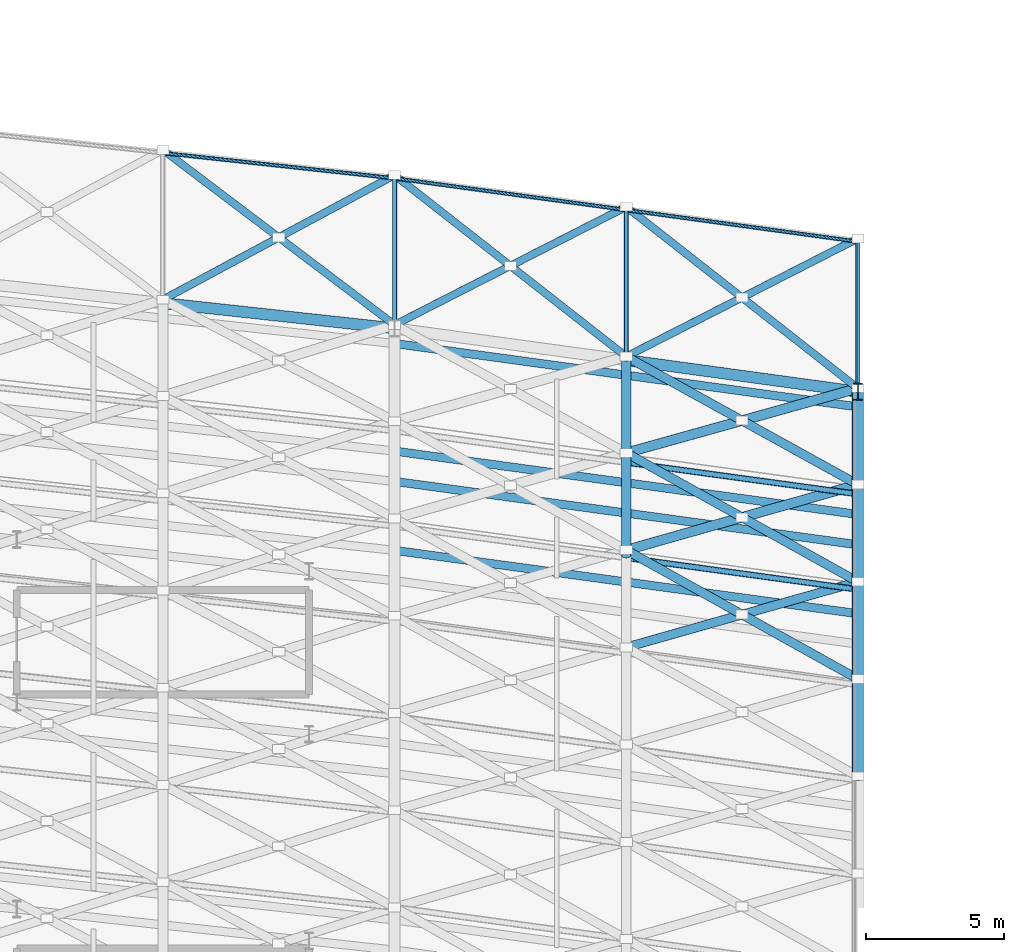
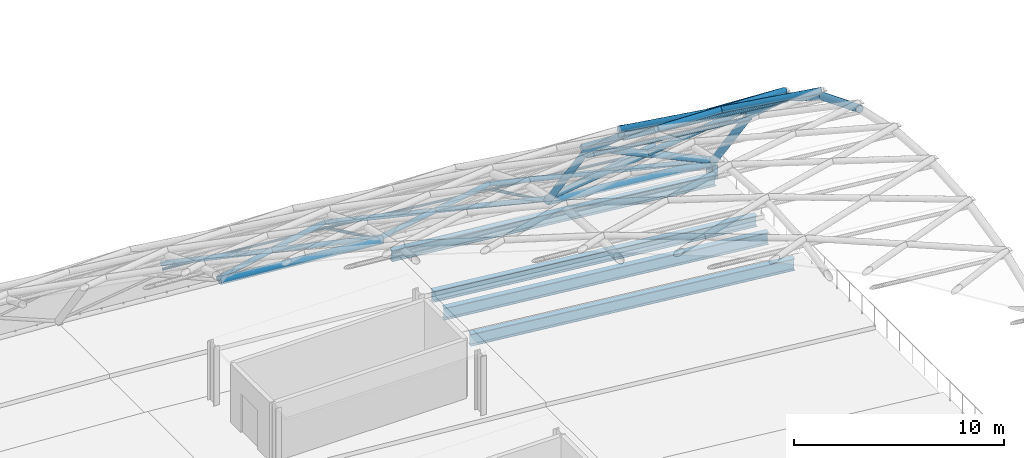
# One storey, part 61 of 100: 35 members, 4 beams.
"""IFC4 building model written with IfcOpenShell, lengths in metres."""

import ifcopenshell
import ifcopenshell.guid

model = None  # the IFC model being written
_history = None  # IfcOwnerHistory: only IFC2X3 demands one
_inside = {}  # id of a spatial element -> (the spatial element, [elements in it])
_under = {}  # id of a project, library or spatial element -> (it, [spatial elements below it])
_declared = {}  # id of a project -> (the project, [libraries it declares])
_typed = {}  # id of a type object -> (the type object, [elements of that type])
_made_of = {}  # id of a material, layer set ... -> (it, [elements and type objects made of it])


def new_model(schema):
    """Start an empty IFC model of exactly this schema.

    Asked for "IFC4X3", IfcOpenShell would pick the latest addendum, in which some entities
    have other attributes; the version numbers below select the first issue.
    IFC2X3 requires an IfcOwnerHistory on every rooted entity: one is made here for all.
    """
    global model, _history
    if schema == "IFC4X3":
        model = ifcopenshell.file(schema_version=(4, 3, 0, 0))
    else:
        model = ifcopenshell.file(schema=schema)
    _inside.clear()
    _under.clear()
    _declared.clear()
    _typed.clear()
    _made_of.clear()
    _history = None
    if model.schema == "IFC2X3":
        org = make("IfcOrganization", Name="unknown")
        user = make(
            "IfcPersonAndOrganization",
            ThePerson=make("IfcPerson", FamilyName="unknown"),
            TheOrganization=org,
        )
        app = make(
            "IfcApplication",
            ApplicationDeveloper=org,
            Version="unknown",
            ApplicationFullName="unknown",
            ApplicationIdentifier="unknown",
        )
        _history = make(
            "IfcOwnerHistory",
            OwningUser=user,
            OwningApplication=app,
            ChangeAction="ADDED",
            CreationDate=0,
        )
    return model


def make(cls, **values):
    """One entity of the class cls with the attributes given. An attribute that is None is left unset."""
    return model.create_entity(
        cls, **{name: value for name, value in values.items() if value is not None}
    )


def rooted(cls, **values):
    """An entity with a GlobalId (a new one), such as an element, a storey or a relation."""
    return make(cls, GlobalId=ifcopenshell.guid.new(), OwnerHistory=_history, **values)


def si_unit(unit_type, name, prefix=None):
    """IfcSIUnit, for example si_unit("LENGTHUNIT", "METRE", prefix="MILLI")."""
    return make("IfcSIUnit", UnitType=unit_type, Prefix=prefix, Name=name)


def assignment(units):
    """IfcUnitAssignment: the units of a project."""
    return None if units is None else make("IfcUnitAssignment", Units=units)


def point(xyz):
    """IfcCartesianPoint."""
    return None if xyz is None else make("IfcCartesianPoint", Coordinates=xyz)


def direction(xyz):
    """IfcDirection."""
    return None if xyz is None else make("IfcDirection", DirectionRatios=xyz)


def frame(location, z_axis=None, x_axis=None):
    """IfcAxis2Placement3D, a coordinate frame: its origin and axes. An axis left out is left unset."""
    return make(
        "IfcAxis2Placement3D",
        Location=point(location),
        Axis=direction(z_axis),
        RefDirection=direction(x_axis),
    )


def frame_2d(location, x_axis=None):
    """IfcAxis2Placement2D, a coordinate frame in the plane: its origin and x axis."""
    return make(
        "IfcAxis2Placement2D", Location=point(location), RefDirection=direction(x_axis)
    )


def origin():
    """The frame at (0, 0, 0) with its axes left unset."""
    return frame((0.0, 0.0, 0.0))


def origin_2d():
    """The frame at (0, 0) in the plane with its x axis left unset."""
    return frame_2d((0.0, 0.0))


def place(relative_to, where):
    """IfcLocalPlacement: puts the frame where relative to a parent placement (None: the world)."""
    return make(
        "IfcLocalPlacement", PlacementRelTo=relative_to, RelativePlacement=where
    )


def context(
    kind, dimensions, precision=None, world=None, true_north=None, identifier=None
):
    """IfcGeometricRepresentationContext, for example the 3D "Model" context."""
    return make(
        "IfcGeometricRepresentationContext",
        ContextIdentifier=identifier,
        ContextType=kind,
        CoordinateSpaceDimension=dimensions,
        Precision=precision,
        WorldCoordinateSystem=world,
        TrueNorth=true_north,
    )


def subcontext(parent, identifier, kind, view, scale=None):
    """IfcGeometricRepresentationSubContext, for example "Body" below "Model"."""
    return make(
        "IfcGeometricRepresentationSubContext",
        ContextIdentifier=identifier,
        ContextType=kind,
        ParentContext=parent,
        TargetScale=scale,
        TargetView=view,
    )


def project(units=None, contexts=None):
    """IfcProject with its units and contexts."""
    return rooted(
        "IfcProject",
        Name="project",
        RepresentationContexts=contexts,
        UnitsInContext=assignment(units),
    )


def spatial(cls, under=None, at=None, **own):
    """A site, building, storey or space (cls), placed at a placement, below another one or the project."""
    s = rooted(cls, ObjectPlacement=at, **own)
    if under is not None:
        _under.setdefault(under.id(), (under, []))[1].append(s)
    return s


def profile(cls, at=None, kind="AREA", **sizes):
    """A parametric profile (cls). Its sizes go by their IFC names, for example OverallWidth=200.0."""
    return make(cls, ProfileType=kind, Position=at, **sizes)


def hollow_circle(**sizes):
    """IfcCircleHollowProfileDef."""
    return profile("IfcCircleHollowProfileDef", **sizes)


def i_section(**sizes):
    """IfcIShapeProfileDef."""
    return profile("IfcIShapeProfileDef", **sizes)


def extrude(swept, where, along, depth):
    """IfcExtrudedAreaSolid: the profile swept, set in the frame where, extruded along a direction by depth."""
    return make(
        "IfcExtrudedAreaSolid",
        SweptArea=swept,
        Position=where,
        ExtrudedDirection=direction(along),
        Depth=depth,
    )


def shape(context_of_items, identifier, shape_type, items):
    """IfcShapeRepresentation: the items that make up one representation, for example the "Body"."""
    return make(
        "IfcShapeRepresentation",
        ContextOfItems=context_of_items,
        RepresentationIdentifier=identifier,
        RepresentationType=shape_type,
        Items=items,
    )


def material(Name=None, Category=None):
    """IfcMaterial."""
    return make("IfcMaterial", Name=Name, Category=Category)


def material_profile(
    of_material, cross_section, Name=None, Category=None, Priority=None
):
    """IfcMaterialProfile: a cross section and its material."""
    return make(
        "IfcMaterialProfile",
        Name=Name,
        Material=of_material,
        Profile=cross_section,
        Priority=Priority,
        Category=Category,
    )


def profile_set(profiles, Name=None, composite=None):
    """IfcMaterialProfileSet."""
    return make(
        "IfcMaterialProfileSet",
        Name=Name,
        MaterialProfiles=profiles,
        CompositeProfile=composite,
    )


def made_of(thing, what):
    """Note that an element or type object is made of a material, layer set ...; save() writes the relation."""
    if what is not None:
        _made_of.setdefault(what.id(), (what, []))[1].append(thing)
    return thing


def type_object(cls, material=None, **own):
    """A type object (cls), such as IfcWallType, which elements share."""
    return made_of(rooted(cls, **own), material)


def element(
    cls,
    number,
    at=None,
    inside=None,
    cuts=None,
    type_object=None,
    material=None,
    context=None,
    identifier="Body",
    shape_type=None,
    held_by="IfcProductDefinitionShape",
    body=None,
    shapes=None,
    **own,
):
    """One element of the class cls, such as IfcWall. Its Tag is "e" and its number.

    at: its placement. inside: the storey or other place that contains it. cuts: it is an
    opening in that element (IfcRelVoidsElement). A single representation is given by context,
    identifier, shape_type and body (its items); several are given by shapes. held_by: the class
    of the entity that holds the representations. save() writes the other relations.
    """
    e = rooted(cls, Tag="e%d" % number, ObjectPlacement=at, **own)
    if body is not None:
        shapes = [shape(context, identifier, shape_type, body)]
    if shapes is not None:
        e.Representation = make(held_by, Representations=shapes)
    if inside is not None:
        _inside.setdefault(inside.id(), (inside, []))[1].append(e)
    if cuts is not None:
        rooted(
            "IfcRelVoidsElement", RelatingBuildingElement=cuts, RelatedOpeningElement=e
        )
    if type_object is not None:
        _typed.setdefault(type_object.id(), (type_object, []))[1].append(e)
    return made_of(e, material)


def aggregate(whole, parts):
    """IfcRelAggregates: a whole, such as a stair, and the parts it consists of."""
    return rooted("IfcRelAggregates", RelatingObject=whole, RelatedObjects=parts)


def save(model, path):
    """Write the relations noted so far, then the file.

    IfcRelAggregates (storeys below a building ...), IfcRelContainedInSpatialStructure (elements
    in a storey), IfcRelDefinesByType, IfcRelAssociatesMaterial and IfcRelDeclares: one each for
    every whole, place, type object, material and project.
    """
    for whole, parts in _under.values():
        aggregate(whole, parts)
    for where, things in _inside.values():
        rooted(
            "IfcRelContainedInSpatialStructure",
            RelatedElements=things,
            RelatingStructure=where,
        )
    for kind, things in _typed.values():
        rooted("IfcRelDefinesByType", RelatedObjects=things, RelatingType=kind)
    for what, things in _made_of.values():
        rooted("IfcRelAssociatesMaterial", RelatedObjects=things, RelatingMaterial=what)
    for by, libraries in _declared.values():
        rooted("IfcRelDeclares", RelatingContext=by, RelatedDefinitions=libraries)
    model.write(path)


model = new_model("IFC4")

# Units and contexts
model_context = context("Model", 3, precision=1e-05, world=origin(), true_north=direction((0.0, 1.0)))
body_context = subcontext(model_context, "Body", "Model", "MODEL_VIEW")
ifc_project = project(units=[si_unit("LENGTHUNIT", "METRE"), si_unit("AREAUNIT", "SQUARE_METRE"), si_unit("VOLUMEUNIT", "CUBIC_METRE"), si_unit("PLANEANGLEUNIT", "RADIAN"), si_unit("MASSUNIT", "GRAM", prefix="KILO")], contexts=[model_context])

# Site, building, storey
site_placement = place(None, origin())
site = spatial("IfcSite", under=ifc_project, at=site_placement, CompositionType="ELEMENT")
building_placement = place(site_placement, origin())
building = spatial("IfcBuilding", under=site, at=building_placement, Name="Kimbaza Rail Terminus", CompositionType="ELEMENT")
storey_placement = place(building_placement, frame((0.0, 0.0, 10.800048828125)))
storey = spatial("IfcBuildingStorey", under=building, at=storey_placement, Name="L02", CompositionType="ELEMENT", Elevation=10.800048828125)

# Beams
ifc_material_1 = material(Name="Steel S355", Category="steel")
ifc_material_profile_1 = material_profile(ifc_material_1, i_section(OverallWidth=0.300048828125, OverallDepth=0.64990234375, WebThickness=0.01611328125, FlangeThickness=0.031005859375, FilletRadius=0.027099609375, at=origin_2d()), Name="HEB 650")
ifc_profile_set_1 = profile_set([ifc_material_profile_1], Name="Steel S355")
beam_type_1 = type_object("IfcBeamType", Name="STR-BM-HEB650", PredefinedType="USERDEFINED", material=ifc_profile_set_1)
for number, where, z_axis, x_axis, name in (
    (1, (189.74365234375, 87.703857421875, -0.5849609375), (0.990777321611, -0.135500180745, 0.0), (0.135500180745, 0.990777321611, 0.0), "Viaduct Chorded Girder P4 Bay 11"),
    (2, (189.74365234375, 91.60400390625, -0.5849609375), (0.990777321611, -0.135500180745, 0.0), (0.135500180745, 0.990777321611, 0.0), "Viaduct Chorded Girder P4 Bay 11"),
):
    element("IfcBeam", number, at=place(storey_placement, frame(where, z_axis=z_axis, x_axis=x_axis)), inside=storey, type_object=beam_type_1, Name=name, ObjectType="GIRDER", PredefinedType="USERDEFINED", context=body_context, shape_type="SweptSolid", body=[
        extrude(i_section(OverallWidth=0.300048828125, OverallDepth=0.64990234375, WebThickness=0.01611328125, FlangeThickness=0.031005859375, FilletRadius=0.027099609375, at=origin_2d()), origin(), (0.0, 0.0, 1.0), 16.66650390625),
    ])
ifc_material_2 = material(Name="Steel S355", Category="steel")
ifc_material_profile_2 = material_profile(ifc_material_2, i_section(OverallWidth=0.300048828125, OverallDepth=0.699951171875, WebThickness=0.01708984375, FlangeThickness=0.031982421875, FilletRadius=0.027099609375, at=origin_2d()), Name="HEB 700")
ifc_profile_set_2 = profile_set([ifc_material_profile_2], Name="Steel S355")
beam_type_2 = type_object("IfcBeamType", Name="STR-BM-HEB700", PredefinedType="USERDEFINED", material=ifc_profile_set_2)
for number, where, z_axis, x_axis, name in (
    (3, (189.74365234375, 84.10400390625, -0.920166015625), (0.990777321611, -0.135500180745, 0.0), (0.135500180745, 0.990777321611, 0.0), "Viaduct Chorded Girder TR56 Bay 11"),
    (4, (189.74365234375, 86.60400390625, -0.920166015625), (0.990777321611, -0.135500180745, 0.0), (0.135500180745, 0.990777321611, 0.0), "Viaduct Chorded Girder TR56 Bay 11"),
):
    element("IfcBeam", number, at=place(storey_placement, frame(where, z_axis=z_axis, x_axis=x_axis)), inside=storey, type_object=beam_type_2, Name=name, ObjectType="GIRDER", PredefinedType="USERDEFINED", context=body_context, shape_type="SweptSolid", body=[
        extrude(i_section(OverallWidth=0.300048828125, OverallDepth=0.699951171875, WebThickness=0.01708984375, FlangeThickness=0.031982421875, FilletRadius=0.027099609375, at=origin_2d()), origin(), (0.0, 0.0, 1.0), 16.66650390625),
    ])

# Members
ifc_material_3 = material(Name="White painted steel S355", Category="steel")
ifc_material_profile_3 = material_profile(ifc_material_3, hollow_circle(Radius=0.06982421875, WallThickness=0.00634765625, at=origin_2d()), Name="CHS 139.7x6.3")
ifc_profile_set_3 = profile_set([ifc_material_profile_3], Name="White painted steel S355")
member_type_1 = type_object("IfcMemberType", Name="STR-MB-CHS139", PredefinedType="COLLAR", material=ifc_profile_set_3)
member_1_placement = place(storey_placement, frame((181.199951171875, 98.53173828125, -2.62744140625), z_axis=(0.994106819652, -0.108404940487, 0.0), x_axis=(0.108404940487, 0.994106819652, 0.0)))
element("IfcMember", 5, at=member_1_placement, inside=storey, type_object=member_type_1, Name="Vault lattice longitudinal purlin VR-19-VA14", PredefinedType="COLLAR", context=body_context, shape_type="SweptSolid", body=[
    extrude(hollow_circle(Radius=0.06982421875, WallThickness=0.00634765625, at=origin_2d()), origin(), (0.0, 0.0, 1.0), 8.449951171875),
])
for number, where, z_axis, x_axis, name in (
    (6, (189.60009765625, 97.61572265625, -2.62744140625), (0.990778928837, -0.135488428186, 0.0), (0.135488428186, 0.990778928837, 0.0), "Vault lattice longitudinal purlin VR-20-VA14"),
    (7, (198.0, 96.467041015625, -2.62744140625), (0.990775062808, -0.135516696087, 0.0), (0.135516696087, 0.990775062808, 0.0), "Vault lattice longitudinal purlin VR-21-VA14"),
):
    element("IfcMember", number, at=place(storey_placement, frame(where, z_axis=z_axis, x_axis=x_axis)), inside=storey, type_object=member_type_1, Name=name, PredefinedType="COLLAR", context=body_context, shape_type="SweptSolid", body=[
        extrude(hollow_circle(Radius=0.06982421875, WallThickness=0.00634765625, at=origin_2d()), origin(), (0.0, 0.0, 1.0), 8.47802734375),
    ])
ifc_material_4 = material(Name="White painted steel S355", Category="steel")
ifc_material_profile_4 = material_profile(ifc_material_4, hollow_circle(Radius=0.084228515625, WallThickness=0.00634765625, at=origin_2d()), Name="CHS 168.3x6.3")
ifc_profile_set_4 = profile_set([ifc_material_profile_4], Name="White painted steel S355")
member_type_2 = type_object("IfcMemberType", Name="STR-MB-CHS168", PredefinedType="RAFTER", material=ifc_profile_set_4)
for number, where, z_axis, x_axis, name in (
    (8, (189.60009765625, 92.173583984375, 0.0), (0.0, 0.901963905621, -0.431811432174), (-1.0, 0.0, 0.0), "Vault lattice arch chord VR-20 seg 14"),
    (9, (198.0, 91.02490234375, 0.0), (0.0, 0.901963905621, -0.431811432174), (-1.0, 0.0, 0.0), "Vault lattice arch chord VR-21 seg 14"),
    (10, (206.39990234375, 89.8759765625, 0.0), (0.0, 0.901963905621, -0.431811432174), (-1.0, 0.0, 0.0), "Vault lattice arch chord VR-22 seg 14"),
):
    element("IfcMember", number, at=place(storey_placement, frame(where, z_axis=z_axis, x_axis=x_axis)), inside=storey, type_object=member_type_2, Name=name, PredefinedType="RAFTER", context=body_context, shape_type="SweptSolid", body=[
        extrude(hollow_circle(Radius=0.084228515625, WallThickness=0.00634765625, at=origin_2d()), origin(), (0.0, 0.0, 1.0), 6.04296875),
    ])
ifc_material_5 = material(Name="White painted steel S355", Category="steel")
ifc_material_profile_5 = material_profile(ifc_material_5, hollow_circle(Radius=0.109619140625, WallThickness=0.008056640625, at=origin_2d()), Name="CHS 219.1x8")
ifc_profile_set_5 = profile_set([ifc_material_profile_5], Name="White painted steel S355")
member_type_3 = type_object("IfcMemberType", Name="STR-MB-CHS219", PredefinedType="PURLIN", material=ifc_profile_set_5)
for number, where, z_axis, x_axis, name in (
    (11, (198.0, 83.85302734375, 7.9716796875), (0.990775062808, -0.135516696087, 0.0), (0.135516696087, 0.990775062808, 0.0), "Vault lattice longitudinal purlin VR-21-VA11"),
    (12, (198.0, 87.31005859375, 4.85205078125), (0.990775062808, -0.135516696087, 0.0), (0.135516696087, 0.990775062808, 0.0), "Vault lattice longitudinal purlin VR-21-VA12"),
):
    element("IfcMember", number, at=place(storey_placement, frame(where, z_axis=z_axis, x_axis=x_axis)), inside=storey, type_object=member_type_3, Name=name, PredefinedType="PURLIN", context=body_context, shape_type="SweptSolid", body=[
        extrude(hollow_circle(Radius=0.109619140625, WallThickness=0.008056640625, at=origin_2d()), origin(), (0.0, 0.0, 1.0), 8.47802734375),
    ])
ifc_material_6 = material(Name="White painted steel S355", Category="steel")
ifc_material_profile_6 = material_profile(ifc_material_6, hollow_circle(Radius=0.136474609375, WallThickness=0.010009765625, at=origin_2d()), Name="CHS 273x10")
ifc_profile_set_6 = profile_set([ifc_material_profile_6], Name="White painted steel S355")
member_type_4 = type_object("IfcMemberType", Name="STR-MB-CHS273", PredefinedType="STRUT", material=ifc_profile_set_6)
member_2_placement = place(storey_placement, frame((181.199951171875, 93.2138671875, 0.064208984375), z_axis=(0.853306847525, 0.458906324486, -0.247532642926), x_axis=(-0.473646411943, 0.880715093803, 0.0)))
element("IfcMember", 13, at=member_2_placement, inside=storey, type_object=member_type_4, Name="Vault lattice diagonal A VR-19-VA13", PredefinedType="STRUT", context=body_context, shape_type="SweptSolid", body=[
    extrude(hollow_circle(Radius=0.136474609375, WallThickness=0.010009765625, at=origin_2d()), origin(), (0.0, 0.0, 1.0), 9.84423828125),
])
for number, where, z_axis, x_axis, name in (
    (14, (189.60009765625, 92.298095703125, 0.064208984375), (-0.777224696661, 0.587436220105, -0.225478287668), (-0.602963622879, -0.79776868169, 0.0), "Vault lattice diagonal B1 VR-19-VA13"),
    (15, (185.39990234375, 95.47265625, -1.154296875), (-0.777194097989, 0.587492417035, -0.225437339358), (-0.603015439959, -0.797729515043, 0.0), "Vault lattice diagonal B2 VR-19-VA13"),
):
    element("IfcMember", number, at=place(storey_placement, frame(where, z_axis=z_axis, x_axis=x_axis)), inside=storey, type_object=member_type_4, Name=name, PredefinedType="STRUT", context=body_context, shape_type="SweptSolid", body=[
        extrude(hollow_circle(Radius=0.136474609375, WallThickness=0.010009765625, at=origin_2d()), origin(), (0.0, 0.0, 1.0), 5.404052734375),
    ])
member_3_placement = place(storey_placement, frame((189.60009765625, 92.298095703125, 0.064208984375), z_axis=(0.862481691216, 0.439914293994, -0.250201411382), x_axis=(-0.454365943518, 0.890815126371, 0.0)))
element("IfcMember", 16, at=member_3_placement, inside=storey, type_object=member_type_4, Name="Vault lattice diagonal A VR-20-VA13", PredefinedType="STRUT", context=body_context, shape_type="SweptSolid", body=[
    extrude(hollow_circle(Radius=0.136474609375, WallThickness=0.010009765625, at=origin_2d()), origin(), (0.0, 0.0, 1.0), 9.7392578125),
])
member_4_placement = place(storey_placement, frame((198.0, 91.149169921875, 0.064208984375), z_axis=(-0.767356164719, 0.601332817332, -0.222628298443), x_axis=(-0.616812718972, -0.787109947666, 0.0)))
element("IfcMember", 17, at=member_4_placement, inside=storey, type_object=member_type_4, Name="Vault lattice diagonal B1 VR-20-VA13", PredefinedType="STRUT", context=body_context, shape_type="SweptSolid", body=[
    extrude(hollow_circle(Radius=0.136474609375, WallThickness=0.010009765625, at=origin_2d()), origin(), (0.0, 0.0, 1.0), 5.473388671875),
])
member_5_placement = place(storey_placement, frame((193.800048828125, 94.4404296875, -1.154296875), z_axis=(-0.767384367824, 0.601310310892, -0.222591873245), x_axis=(-0.616784371104, -0.787132161432, 0.0)))
element("IfcMember", 18, at=member_5_placement, inside=storey, type_object=member_type_4, Name="Vault lattice diagonal B2 VR-20-VA13", PredefinedType="STRUT", context=body_context, shape_type="SweptSolid", body=[
    extrude(hollow_circle(Radius=0.136474609375, WallThickness=0.010009765625, at=origin_2d()), origin(), (0.0, 0.0, 1.0), 5.47314453125),
])
member_6_placement = place(storey_placement, frame((198.0, 91.149169921875, 0.064208984375), z_axis=(0.862472179938, 0.439934510199, -0.250198652211), x_axis=(-0.454386489216, 0.890804646608, 0.0)))
element("IfcMember", 19, at=member_6_placement, inside=storey, type_object=member_type_4, Name="Vault lattice diagonal A VR-21-VA13", PredefinedType="STRUT", context=body_context, shape_type="SweptSolid", body=[
    extrude(hollow_circle(Radius=0.136474609375, WallThickness=0.010009765625, at=origin_2d()), origin(), (0.0, 0.0, 1.0), 9.7392578125),
])
for number, where, z_axis, x_axis, name in (
    (20, (206.39990234375, 90.00048828125, 0.064208984375), (-0.767376747594, 0.6013043398, -0.222634270025), (-0.616784371104, -0.787132161432, 0.0), "Vault lattice diagonal B1 VR-21-VA13"),
    (21, (202.199951171875, 93.29150390625, -1.154296875), (-0.767384367824, 0.601310310892, -0.222591873245), (-0.616784371104, -0.787132161432, 0.0), "Vault lattice diagonal B2 VR-21-VA13"),
):
    element("IfcMember", number, at=place(storey_placement, frame(where, z_axis=z_axis, x_axis=x_axis)), inside=storey, type_object=member_type_4, Name=name, PredefinedType="STRUT", context=body_context, shape_type="SweptSolid", body=[
        extrude(hollow_circle(Radius=0.136474609375, WallThickness=0.010009765625, at=origin_2d()), origin(), (0.0, 0.0, 1.0), 5.47314453125),
    ])
ifc_material_7 = material(Name="White painted steel S355", Category="steel")
ifc_material_profile_7 = material_profile(ifc_material_7, hollow_circle(Radius=0.161865234375, WallThickness=0.010009765625, at=origin_2d()), Name="CHS 323.9x10")
ifc_profile_set_7 = profile_set([ifc_material_profile_7], Name="White painted steel S355")
member_type_5 = type_object("IfcMemberType", Name="STR-MB-CHS323", PredefinedType="STRUT", material=ifc_profile_set_7)
member_7_placement = place(storey_placement, frame((198.0, 80.604736328125, 10.499755859375), z_axis=(0.934286738554, 0.264487381082, -0.239070523927), x_axis=(-0.272385973351, 0.962188069725, 0.0)))
element("IfcMember", 22, at=member_7_placement, inside=storey, type_object=member_type_5, Name="Vault lattice diagonal A VR-21-VA10", PredefinedType="STRUT", context=body_context, shape_type="SweptSolid", body=[
    extrude(hollow_circle(Radius=0.161865234375, WallThickness=0.010009765625, at=origin_2d()), origin(), (0.0, 0.0, 1.0), 8.99072265625),
])
member_8_placement = place(storey_placement, frame((206.39990234375, 79.4560546875, 10.499755859375), z_axis=(-0.852719545085, 0.474614290774, -0.218198653576), x_axis=(-0.486332783542, -0.873773668436, 0.0)))
element("IfcMember", 23, at=member_8_placement, inside=storey, type_object=member_type_5, Name="Vault lattice diagonal B1 VR-21-VA10", PredefinedType="STRUT", context=body_context, shape_type="SweptSolid", body=[
    extrude(hollow_circle(Radius=0.161865234375, WallThickness=0.010009765625, at=origin_2d()), origin(), (0.0, 0.0, 1.0), 4.92529296875),
])
member_9_placement = place(storey_placement, frame((202.199951171875, 81.793701171875, 9.425048828125), z_axis=(-0.852699483908, 0.474652691851, -0.21819352021), x_axis=(-0.486371560754, -0.873752084341, 0.0)))
element("IfcMember", 24, at=member_9_placement, inside=storey, type_object=member_type_5, Name="Vault lattice diagonal B2 VR-21-VA10", PredefinedType="STRUT", context=body_context, shape_type="SweptSolid", body=[
    extrude(hollow_circle(Radius=0.161865234375, WallThickness=0.010009765625, at=origin_2d()), origin(), (0.0, 0.0, 1.0), 4.925537109375),
])
member_10_placement = place(storey_placement, frame((206.39990234375, 82.982666015625, 8.350341796875), z_axis=(-0.829498011625, 0.461689441453, -0.314286347717), x_axis=(-0.486332783542, -0.873773668436, 0.0)))
element("IfcMember", 25, at=member_10_placement, inside=storey, type_object=member_type_5, Name="Vault lattice diagonal B1 VR-21-VA11", PredefinedType="STRUT", context=body_context, shape_type="SweptSolid", body=[
    extrude(hollow_circle(Radius=0.161865234375, WallThickness=0.010009765625, at=origin_2d()), origin(), (0.0, 0.0, 1.0), 5.063232421875),
])
member_11_placement = place(storey_placement, frame((202.199951171875, 85.3203125, 6.759033203125), z_axis=(-0.829479545124, 0.461727380347, -0.314279350992), x_axis=(-0.486371560754, -0.873752084341, 0.0)))
element("IfcMember", 26, at=member_11_placement, inside=storey, type_object=member_type_5, Name="Vault lattice diagonal B2 VR-21-VA11", PredefinedType="STRUT", context=body_context, shape_type="SweptSolid", body=[
    extrude(hollow_circle(Radius=0.161865234375, WallThickness=0.010009765625, at=origin_2d()), origin(), (0.0, 0.0, 1.0), 5.0634765625),
])
member_12_placement = place(storey_placement, frame((206.39990234375, 86.50927734375, 5.167724609375), z_axis=(-0.772831402743, 0.426914888116, -0.469547975439), x_axis=(-0.483533268851, -0.875325983799, 0.0)))
element("IfcMember", 27, at=member_12_placement, inside=storey, type_object=member_type_5, Name="Vault lattice diagonal B1 VR-21-VA12", PredefinedType="STRUT", context=body_context, shape_type="SweptSolid", body=[
    extrude(hollow_circle(Radius=0.161865234375, WallThickness=0.010009765625, at=origin_2d()), origin(), (0.0, 0.0, 1.0), 5.4345703125),
])
member_13_placement = place(storey_placement, frame((202.199951171875, 88.829345703125, 2.615966796875), z_axis=(-0.772846224384, 0.426878150561, -0.4695569806), x_axis=(-0.483494281718, -0.875347519301, 0.0)))
element("IfcMember", 28, at=member_13_placement, inside=storey, type_object=member_type_5, Name="Vault lattice diagonal B2 VR-21-VA12", PredefinedType="STRUT", context=body_context, shape_type="SweptSolid", body=[
    extrude(hollow_circle(Radius=0.161865234375, WallThickness=0.010009765625, at=origin_2d()), origin(), (0.0, 0.0, 1.0), 5.434326171875),
])
ifc_material_8 = material(Name="White painted steel S355", Category="steel")
ifc_material_profile_8 = material_profile(ifc_material_8, hollow_circle(Radius=0.177734375, WallThickness=0.012451171875, at=origin_2d()), Name="CHS 355.6x12.5")
ifc_profile_set_8 = profile_set([ifc_material_profile_8], Name="White painted steel S355")
member_type_6 = type_object("IfcMemberType", Name="STR-MB-CHS355", PredefinedType="CHORD", material=ifc_profile_set_8)
member_14_placement = place(storey_placement, frame((198.0, 83.95361328125, 8.108642578125), z_axis=(0.0, 0.742403219767, -0.669953326195), x_axis=(-1.0, 0.0, 0.0)))
element("IfcMember", 29, at=member_14_placement, inside=storey, type_object=member_type_6, Name="Vault lattice arch chord VR-21 seg 12", PredefinedType="CHORD", context=body_context, shape_type="SweptSolid", body=[
    extrude(hollow_circle(Radius=0.177734375, WallThickness=0.012451171875, at=origin_2d()), origin(), (0.0, 0.0, 1.0), 4.690673828125),
])
member_15_placement = place(storey_placement, frame((198.0, 87.43603515625, 4.966064453125), z_axis=(0.0, 0.585733481953, -0.810503724926), x_axis=(-1.0, 0.0, 0.0)))
element("IfcMember", 30, at=member_15_placement, inside=storey, type_object=member_type_6, Name="Vault lattice arch chord VR-21 seg 13", PredefinedType="CHORD", context=body_context, shape_type="SweptSolid", body=[
    extrude(hollow_circle(Radius=0.177734375, WallThickness=0.012451171875, at=origin_2d()), origin(), (0.0, 0.0, 1.0), 6.127197265625),
])
member_16_placement = place(storey_placement, frame((198.0, 84.131591796875, 8.350341796875), z_axis=(0.903995362602, 0.255885916305, -0.342512455586), x_axis=(-0.272360082241, 0.962195398868, 0.0)))
element("IfcMember", 31, at=member_16_placement, inside=storey, type_object=member_type_6, Name="Vault lattice diagonal A VR-21-VA11", PredefinedType="CHORD", context=body_context, shape_type="SweptSolid", body=[
    extrude(hollow_circle(Radius=0.177734375, WallThickness=0.012451171875, at=origin_2d()), origin(), (0.0, 0.0, 1.0), 9.2919921875),
])
member_17_placement = place(storey_placement, frame((198.0, 87.658203125, 5.167724609375), z_axis=(0.831345415058, 0.231817936176, -0.50509924305), x_axis=(-0.268599628329, 0.963251908724, 0.0)))
element("IfcMember", 32, at=member_17_placement, inside=storey, type_object=member_type_6, Name="Vault lattice diagonal A VR-21-VA12", PredefinedType="CHORD", context=body_context, shape_type="SweptSolid", body=[
    extrude(hollow_circle(Radius=0.177734375, WallThickness=0.012451171875, at=origin_2d()), origin(), (0.0, 0.0, 1.0), 10.10400390625),
])
ifc_material_9 = material(Name="White painted steel S355", Category="steel")
ifc_material_profile_9 = material_profile(ifc_material_9, hollow_circle(Radius=0.203125, WallThickness=0.01416015625, at=origin_2d()), Name="CHS 406.4x14.2")
ifc_profile_set_9 = profile_set([ifc_material_profile_9], Name="White painted steel S355")
member_type_7 = type_object("IfcMemberType", Name="STR-MB-CHS406", PredefinedType="CHORD", material=ifc_profile_set_9)
member_18_placement = place(storey_placement, frame((206.39990234375, 75.840576171875, 11.62451171875), z_axis=(0.0, 0.928413829694, -0.37154779078), x_axis=(-1.0, 0.0, 0.0)))
element("IfcMember", 33, at=member_18_placement, inside=storey, type_object=member_type_7, Name="Vault lattice arch chord VR-22 seg 10", PredefinedType="CHORD", context=body_context, shape_type="SweptSolid", body=[
    extrude(hollow_circle(Radius=0.203125, WallThickness=0.01416015625, at=origin_2d()), origin(), (0.0, 0.0, 1.0), 3.750732421875),
])
member_19_placement = place(storey_placement, frame((206.39990234375, 79.32275390625, 10.23095703125), z_axis=(0.0, 0.853901304322, -0.520434974302), x_axis=(-1.0, 0.0, 0.0)))
element("IfcMember", 34, at=member_19_placement, inside=storey, type_object=member_type_7, Name="Vault lattice arch chord VR-22 seg 11", PredefinedType="CHORD", context=body_context, shape_type="SweptSolid", body=[
    extrude(hollow_circle(Radius=0.203125, WallThickness=0.01416015625, at=origin_2d()), origin(), (0.0, 0.0, 1.0), 4.077880859375),
])
member_20_placement = place(storey_placement, frame((206.39990234375, 82.804931640625, 8.108642578125), z_axis=(0.0, 0.742379857618, -0.669979213859), x_axis=(-1.0, 0.0, 0.0)))
element("IfcMember", 35, at=member_20_placement, inside=storey, type_object=member_type_7, Name="Vault lattice arch chord VR-22 seg 12", PredefinedType="CHORD", context=body_context, shape_type="SweptSolid", body=[
    extrude(hollow_circle(Radius=0.203125, WallThickness=0.01416015625, at=origin_2d()), origin(), (0.0, 0.0, 1.0), 4.690673828125),
])
member_21_placement = place(storey_placement, frame((206.39990234375, 86.287109375, 4.966064453125), z_axis=(0.0, 0.585733481953, -0.810503724926), x_axis=(-1.0, 0.0, 0.0)))
element("IfcMember", 36, at=member_21_placement, inside=storey, type_object=member_type_7, Name="Vault lattice arch chord VR-22 seg 13", PredefinedType="CHORD", context=body_context, shape_type="SweptSolid", body=[
    extrude(hollow_circle(Radius=0.203125, WallThickness=0.01416015625, at=origin_2d()), origin(), (0.0, 0.0, 1.0), 6.127197265625),
])
member_22_placement = place(storey_placement, frame((181.199951171875, 93.089599609375, 0.0), z_axis=(0.994106819652, -0.108404940487, 0.0), x_axis=(0.108404940487, 0.994106819652, 0.0)))
element("IfcMember", 37, at=member_22_placement, inside=storey, type_object=member_type_7, Name="Vault lattice springing ring chord VR-19", PredefinedType="CHORD", context=body_context, shape_type="SweptSolid", body=[
    extrude(hollow_circle(Radius=0.203125, WallThickness=0.01416015625, at=origin_2d()), origin(), (0.0, 0.0, 1.0), 8.449951171875),
])
member_23_placement = place(storey_placement, frame((198.0, 91.02490234375, 0.0), z_axis=(0.990775062808, -0.135516696087, 0.0), x_axis=(0.135516696087, 0.990775062808, 0.0)))
element("IfcMember", 38, at=member_23_placement, inside=storey, type_object=member_type_7, Name="Vault lattice springing ring chord VR-21", PredefinedType="CHORD", context=body_context, shape_type="SweptSolid", body=[
    extrude(hollow_circle(Radius=0.203125, WallThickness=0.01416015625, at=origin_2d()), origin(), (0.0, 0.0, 1.0), 8.47802734375),
])
ifc_material_10 = material(Name="Steel S355", Category="steel")
ifc_material_profile_10 = material_profile(ifc_material_10, i_section(OverallWidth=0.304931640625, OverallDepth=0.6201171875, WebThickness=0.02099609375, FlangeThickness=0.0400390625, FilletRadius=0.027099609375, at=origin_2d()), Name="HEM 600")
ifc_profile_set_10 = profile_set([ifc_material_profile_10], Name="Steel S355")
member_type_8 = type_object("IfcMemberType", Name="STR-MB-HEM600", PredefinedType="POST", material=ifc_profile_set_10)
member_24_placement = place(storey_placement, frame((206.39990234375, 89.8759765625, -0.800048828125), z_axis=(0.0, 0.0, 1.0), x_axis=(1.0, 0.0, 0.0)))
element("IfcMember", 39, at=member_24_placement, inside=storey, type_object=member_type_8, Name="Vault Springing Shoe Pedestal N VP-12", PredefinedType="POST", context=body_context, shape_type="SweptSolid", body=[
    extrude(i_section(OverallWidth=0.304931640625, OverallDepth=0.6201171875, WebThickness=0.02099609375, FlangeThickness=0.0400390625, FilletRadius=0.027099609375, at=origin_2d()), origin(), (0.0, 0.0, 1.0), 0.800048828125),
])

save(model, "model.ifc")
